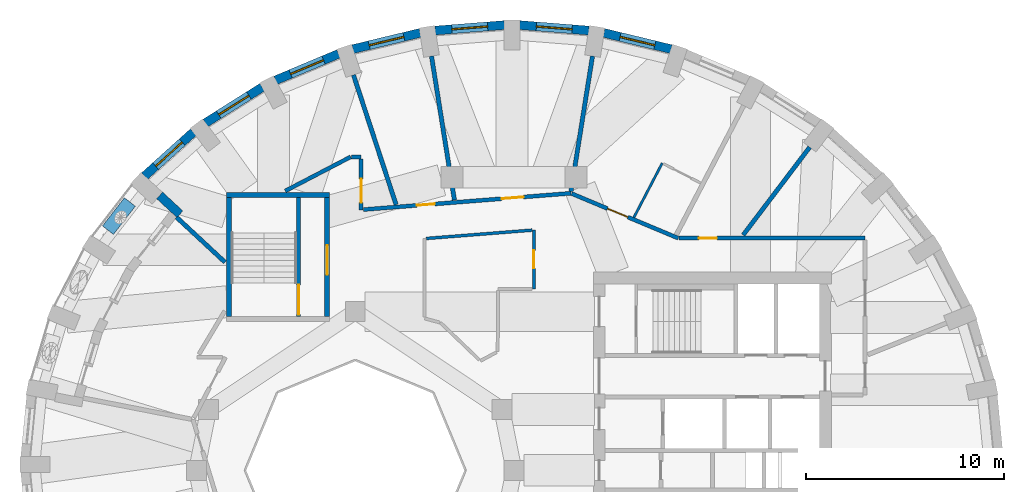
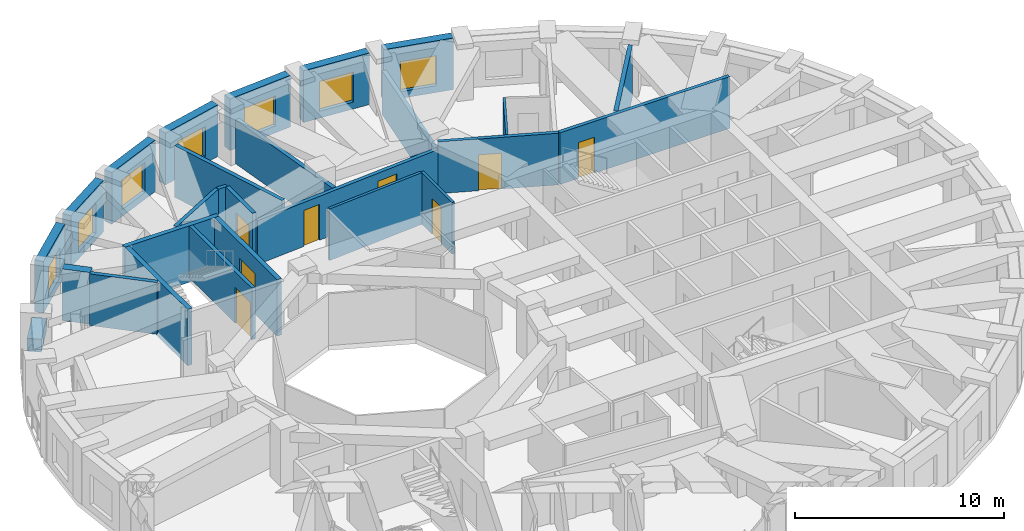
# One storey, part 7 of 12: 27 walls, 8 doors, 7 windows, 15 openings.
"""IFC4 building model written with IfcOpenShell, lengths in metres."""

from ifc_helpers import new_model, si_unit, direction, frame, frame_2d, origin, place, context, subcontext, project, spatial, rectangle, extrude, material, layer, layer_set, constituent, constituent_set, type_object, element, fill, save


model = new_model("IFC4")

# Units and contexts
model_context = context("Model", 3, precision=1e-05, world=origin(), true_north=direction((0.0, 1.0)))
body_context = subcontext(model_context, "Body", "Model", "MODEL_VIEW")
ifc_project = project(units=[si_unit("LENGTHUNIT", "METRE"), si_unit("AREAUNIT", "SQUARE_METRE"), si_unit("VOLUMEUNIT", "CUBIC_METRE"), si_unit("PLANEANGLEUNIT", "RADIAN"), si_unit("MASSUNIT", "GRAM", prefix="KILO")], contexts=[model_context])

# Site, building, storey
site_placement = place(None, origin())
site = spatial("IfcSite", under=ifc_project, at=site_placement, CompositionType="ELEMENT")
building_placement = place(site_placement, origin())
building = spatial("IfcBuilding", under=site, at=building_placement, Name="Taillehof Tower", CompositionType="ELEMENT")
storey_placement = place(building_placement, frame((0.0, 0.0, 243.199951171875)))
storey = spatial("IfcBuildingStorey", under=building, at=storey_placement, Name="L69", CompositionType="ELEMENT", Elevation=243.199951171875)

# Wall, opening, window
ifc_material_1 = material(Name="Brick masonry", Category="masonry")
ifc_layer_1 = layer(ifc_material_1, 0.449951171875)
ifc_layer_set_1 = layer_set([ifc_layer_1], Name="Brick infill wall 450")
wall_type_1 = type_object("IfcWallType", Name="Brick infill wall 450", PredefinedType="SOLIDWALL", material=ifc_layer_set_1)
wall_1_placement = place(storey_placement, frame((7.918701171875, 21.231689453125, 0.0), z_axis=(0.0, 0.0, 1.0), x_axis=(-0.972099278496, 0.23456980357, 0.0)))
wall_1 = element("IfcWall", 1, at=wall_1_placement, inside=storey, type_object=wall_type_1, Name="Brick wall L69 bay 8", PredefinedType="SOLIDWALL", context=body_context, shape_type="SweptSolid", body=[
    extrude(rectangle(XDim=3.486572265625, YDim=0.449951171875, at=frame_2d((1.7431640625, 0.0))), origin(), (0.0, 0.0, 1.0), 3.02001953125),
])
opening_1_placement = place(wall_1_placement, frame((0.84326171875, 0.0, 0.39990234375)))
opening_1 = element("IfcOpeningElement", 2, at=opening_1_placement, cuts=wall_1, Name="Opening W4", PredefinedType="OPENING", context=body_context, shape_type="SweptSolid", body=[
    extrude(rectangle(XDim=1.800048828125, YDim=1.75, at=frame_2d((0.89990234375, 0.875))), frame((0.0, 0.23486328125, 0.0), z_axis=(0.0, -1.0, 0.0), x_axis=(1.0, 0.0, 0.0)), (0.0, 0.0, 1.0), 0.469970703125),
])
ifc_material_2 = material(Name="Aluminium window frame with clear double glazing", Category="aluminium")
window_type = type_object("IfcWindowType", Name="Deep-set window 1800x1750", PartitioningType="SINGLE_PANEL", PredefinedType="WINDOW", material=ifc_material_2)
window_1_placement = place(opening_1_placement, origin())
window_1 = element("IfcWindow", 3, at=window_1_placement, inside=storey, type_object=window_type, Name="W4", OverallHeight=1.75, OverallWidth=1.800048828125, PartitioningType="SINGLE_PANEL", PredefinedType="WINDOW", context=body_context, shape_type="SweptSolid", body=[
    extrude(rectangle(XDim=1.800048828125, YDim=1.75, at=frame_2d((0.89990234375, 0.875))), frame((0.0, 0.034912109375, 0.0), z_axis=(0.0, -1.0, 0.0), x_axis=(1.0, 0.0, 0.0)), (0.0, 0.0, 1.0), 0.06005859375),
])
fill(opening_1, window_1)

wall_2_placement = place(storey_placement, frame((3.778564453125, 22.168701171875, 0.0), z_axis=(0.0, 0.0, 1.0), x_axis=(-0.996910775835, 0.078542377245, 0.0)))
wall_2 = element("IfcWall", 4, at=wall_2_placement, inside=storey, type_object=wall_type_1, Name="Brick wall L69 bay 9", PredefinedType="SOLIDWALL", context=body_context, shape_type="SweptSolid", body=[
    extrude(rectangle(XDim=3.50927734375, YDim=0.449951171875, at=frame_2d((1.754638671875, 0.0))), origin(), (0.0, 0.0, 1.0), 3.02001953125),
])
opening_2_placement = place(wall_2_placement, frame((0.854736328125, 0.0, 0.39990234375)))
opening_2 = element("IfcOpeningElement", 5, at=opening_2_placement, cuts=wall_2, Name="Opening W4", PredefinedType="OPENING", context=body_context, shape_type="SweptSolid", body=[
    extrude(rectangle(XDim=1.800048828125, YDim=1.75, at=frame_2d((0.89990234375, 0.875))), frame((0.0, 0.23486328125, 0.0), z_axis=(0.0, -1.0, 0.0), x_axis=(1.0, 0.0, 0.0)), (0.0, 0.0, 1.0), 0.469970703125),
])
window_2_placement = place(opening_2_placement, origin())
window_2 = element("IfcWindow", 6, at=window_2_placement, inside=storey, type_object=window_type, Name="W4", OverallHeight=1.75, OverallWidth=1.800048828125, PartitioningType="SINGLE_PANEL", PredefinedType="WINDOW", context=body_context, shape_type="SweptSolid", body=[
    extrude(rectangle(XDim=1.800048828125, YDim=1.75, at=frame_2d((0.89990234375, 0.875))), frame((0.0, 0.034912109375, 0.0), z_axis=(0.0, -1.0, 0.0), x_axis=(1.0, 0.0, 0.0)), (0.0, 0.0, 1.0), 0.06005859375),
])
fill(opening_2, window_2)

wall_3_placement = place(storey_placement, frame((-0.47998046875, 22.4443359375, 0.0), z_axis=(0.0, 0.0, 1.0), x_axis=(-0.996910775835, -0.078542377245, 0.0)))
wall_3 = element("IfcWall", 7, at=wall_3_placement, inside=storey, type_object=wall_type_1, Name="Brick wall L69 bay 10", PredefinedType="SOLIDWALL", context=body_context, shape_type="SweptSolid", body=[
    extrude(rectangle(XDim=3.50927734375, YDim=0.449951171875, at=frame_2d((1.754638671875, 0.0))), origin(), (0.0, 0.0, 1.0), 3.02001953125),
])
opening_3_placement = place(wall_3_placement, frame((0.854736328125, 0.0, 0.39990234375)))
opening_3 = element("IfcOpeningElement", 8, at=opening_3_placement, cuts=wall_3, Name="Opening W4", PredefinedType="OPENING", context=body_context, shape_type="SweptSolid", body=[
    extrude(rectangle(XDim=1.800048828125, YDim=1.75, at=frame_2d((0.89990234375, 0.875))), frame((0.0, 0.23486328125, 0.0), z_axis=(0.0, -1.0, 0.0), x_axis=(1.0, 0.0, 0.0)), (0.0, 0.0, 1.0), 0.469970703125),
])
window_3_placement = place(opening_3_placement, origin())
window_3 = element("IfcWindow", 9, at=window_3_placement, inside=storey, type_object=window_type, Name="W4", OverallHeight=1.75, OverallWidth=1.800048828125, PartitioningType="SINGLE_PANEL", PredefinedType="WINDOW", context=body_context, shape_type="SweptSolid", body=[
    extrude(rectangle(XDim=1.800048828125, YDim=1.75, at=frame_2d((0.89990234375, 0.875))), frame((0.0, 0.034912109375, 0.0), z_axis=(0.0, -1.0, 0.0), x_axis=(1.0, 0.0, 0.0)), (0.0, 0.0, 1.0), 0.06005859375),
])
fill(opening_3, window_3)

wall_4_placement = place(storey_placement, frame((-4.729248046875, 22.049560546875, 0.0), z_axis=(0.0, 0.0, 1.0), x_axis=(-0.972099278496, -0.23456980357, 0.0)))
wall_4 = element("IfcWall", 10, at=wall_4_placement, inside=storey, type_object=wall_type_1, Name="Brick wall L69 bay 11", PredefinedType="SOLIDWALL", context=body_context, shape_type="SweptSolid", body=[
    extrude(rectangle(XDim=3.486572265625, YDim=0.449951171875, at=frame_2d((1.7431640625, 0.0))), origin(), (0.0, 0.0, 1.0), 3.02001953125),
])
opening_4_placement = place(wall_4_placement, frame((0.84326171875, 0.0, 0.39990234375)))
opening_4 = element("IfcOpeningElement", 11, at=opening_4_placement, cuts=wall_4, Name="Opening W4", PredefinedType="OPENING", context=body_context, shape_type="SweptSolid", body=[
    extrude(rectangle(XDim=1.800048828125, YDim=1.75, at=frame_2d((0.89990234375, 0.875))), frame((0.0, 0.23486328125, 0.0), z_axis=(0.0, -1.0, 0.0), x_axis=(1.0, 0.0, 0.0)), (0.0, 0.0, 1.0), 0.469970703125),
])
window_4_placement = place(opening_4_placement, origin())
window_4 = element("IfcWindow", 12, at=window_4_placement, inside=storey, type_object=window_type, Name="W4", OverallHeight=1.75, OverallWidth=1.800048828125, PartitioningType="SINGLE_PANEL", PredefinedType="WINDOW", context=body_context, shape_type="SweptSolid", body=[
    extrude(rectangle(XDim=1.800048828125, YDim=1.75, at=frame_2d((0.89990234375, 0.875))), frame((0.0, 0.034912109375, 0.0), z_axis=(0.0, -1.0, 0.0), x_axis=(1.0, 0.0, 0.0)), (0.0, 0.0, 1.0), 0.06005859375),
])
fill(opening_4, window_4)

wall_5_placement = place(storey_placement, frame((-8.8408203125, 20.994873046875, 0.0), z_axis=(0.0, 0.0, 1.0), x_axis=(-0.922024627475, -0.387131226239, 0.0)))
wall_5 = element("IfcWall", 13, at=wall_5_placement, inside=storey, type_object=wall_type_1, Name="Brick wall L69 bay 12", PredefinedType="SOLIDWALL", context=body_context, shape_type="SweptSolid", body=[
    extrude(rectangle(XDim=3.443359375, YDim=0.449951171875, at=frame_2d((1.7216796875, 0.0))), origin(), (0.0, 0.0, 1.0), 3.02001953125),
])
opening_5_placement = place(wall_5_placement, frame((0.82177734375, 0.0, 0.39990234375)))
opening_5 = element("IfcOpeningElement", 14, at=opening_5_placement, cuts=wall_5, Name="Opening W4", PredefinedType="OPENING", context=body_context, shape_type="SweptSolid", body=[
    extrude(rectangle(XDim=1.800048828125, YDim=1.75, at=frame_2d((0.89990234375, 0.875))), frame((0.0, 0.23486328125, 0.0), z_axis=(0.0, -1.0, 0.0), x_axis=(1.0, 0.0, 0.0)), (0.0, 0.0, 1.0), 0.469970703125),
])
window_5_placement = place(opening_5_placement, origin())
window_5 = element("IfcWindow", 15, at=window_5_placement, inside=storey, type_object=window_type, Name="W4", OverallHeight=1.75, OverallWidth=1.800048828125, PartitioningType="SINGLE_PANEL", PredefinedType="WINDOW", context=body_context, shape_type="SweptSolid", body=[
    extrude(rectangle(XDim=1.800048828125, YDim=1.75, at=frame_2d((0.89990234375, 0.875))), frame((0.0, 0.034912109375, 0.0), z_axis=(0.0, -1.0, 0.0), x_axis=(1.0, 0.0, 0.0)), (0.0, 0.0, 1.0), 0.06005859375),
])
fill(opening_5, window_5)

wall_6_placement = place(storey_placement, frame((-12.68994140625, 19.31103515625, 0.0), z_axis=(0.0, 0.0, 1.0), x_axis=(-0.845929139811, -0.53329531258, 0.0)))
wall_6 = element("IfcWall", 16, at=wall_6_placement, inside=storey, type_object=wall_type_1, Name="Brick wall L69 bay 13", PredefinedType="SOLIDWALL", context=body_context, shape_type="SweptSolid", body=[
    extrude(rectangle(XDim=3.384521484375, YDim=0.449951171875, at=frame_2d((1.6923828125, 0.0))), origin(), (0.0, 0.0, 1.0), 3.02001953125),
])
opening_6_placement = place(wall_6_placement, frame((0.792236328125, 0.0, 0.39990234375)))
opening_6 = element("IfcOpeningElement", 17, at=opening_6_placement, cuts=wall_6, Name="Opening W4", PredefinedType="OPENING", context=body_context, shape_type="SweptSolid", body=[
    extrude(rectangle(XDim=1.800048828125, YDim=1.75, at=frame_2d((0.89990234375, 0.875))), frame((0.0, 0.23486328125, 0.0), z_axis=(0.0, -1.0, 0.0), x_axis=(1.0, 0.0, 0.0)), (0.0, 0.0, 1.0), 0.469970703125),
])
window_6_placement = place(opening_6_placement, origin())
window_6 = element("IfcWindow", 18, at=window_6_placement, inside=storey, type_object=window_type, Name="W4", OverallHeight=1.75, OverallWidth=1.800048828125, PartitioningType="SINGLE_PANEL", PredefinedType="WINDOW", context=body_context, shape_type="SweptSolid", body=[
    extrude(rectangle(XDim=1.800048828125, YDim=1.75, at=frame_2d((0.89990234375, 0.875))), frame((0.0, 0.034912109375, 0.0), z_axis=(0.0, -1.0, 0.0), x_axis=(1.0, 0.0, 0.0)), (0.0, 0.0, 1.0), 0.06005859375),
])
fill(opening_6, window_6)

wall_7_placement = place(storey_placement, frame((-16.1591796875, 17.04736328125, 0.0), z_axis=(0.0, 0.0, 1.0), x_axis=(-0.743166014219, -0.669107073128, 0.0)))
wall_7 = element("IfcWall", 19, at=wall_7_placement, inside=storey, type_object=wall_type_1, Name="Brick wall L69 bay 14", PredefinedType="SOLIDWALL", context=body_context, shape_type="SweptSolid", body=[
    extrude(rectangle(XDim=3.31640625, YDim=0.449951171875, at=frame_2d((1.658203125, 0.0))), origin(), (0.0, 0.0, 1.0), 3.02001953125),
])
opening_7_placement = place(wall_7_placement, frame((0.75830078125, 0.0, 0.39990234375)))
opening_7 = element("IfcOpeningElement", 20, at=opening_7_placement, cuts=wall_7, Name="Opening W4", PredefinedType="OPENING", context=body_context, shape_type="SweptSolid", body=[
    extrude(rectangle(XDim=1.800048828125, YDim=1.75, at=frame_2d((0.89990234375, 0.875))), frame((0.0, 0.23486328125, 0.0), z_axis=(0.0, -1.0, 0.0), x_axis=(1.0, 0.0, 0.0)), (0.0, 0.0, 1.0), 0.469970703125),
])
window_7_placement = place(opening_7_placement, origin())
window_7 = element("IfcWindow", 21, at=window_7_placement, inside=storey, type_object=window_type, Name="W4", OverallHeight=1.75, OverallWidth=1.800048828125, PartitioningType="SINGLE_PANEL", PredefinedType="WINDOW", context=body_context, shape_type="SweptSolid", body=[
    extrude(rectangle(XDim=1.800048828125, YDim=1.75, at=frame_2d((0.89990234375, 0.875))), frame((0.0, 0.034912109375, 0.0), z_axis=(0.0, -1.0, 0.0), x_axis=(1.0, 0.0, 0.0)), (0.0, 0.0, 1.0), 0.06005859375),
])
fill(opening_7, window_7)

# Walls
wall_8_placement = place(storey_placement, frame((-17.861083984375, 13.856689453125, 0.0), z_axis=(0.0, 0.0, 1.0), x_axis=(0.732605925603, -0.680653037731, 0.0)))
element("IfcWall", 22, at=wall_8_placement, inside=storey, type_object=wall_type_1, Name="Brick reveal L69 pocket 4", PredefinedType="SOLIDWALL", context=body_context, shape_type="SweptSolid", body=[
    extrude(rectangle(XDim=1.390869140625, YDim=0.449951171875, at=frame_2d((0.6953125, 0.0))), origin(), (0.0, 0.0, 1.0), 3.02001953125),
])
ifc_material_3 = material(Name="Gypsum board on steel studs, two layers each side", Category="steel")
ifc_layer_2 = layer(ifc_material_3, 0.199951171875)
ifc_layer_set_2 = layer_set([ifc_layer_2], Name="Compartment wall corridor 200")
wall_type_2 = type_object("IfcWallType", Name="Compartment wall corridor 200", PredefinedType="PARTITIONING", material=ifc_layer_set_2)
wall_9_placement = place(storey_placement, frame((-11.53369140625, 14.080810546875, 0.0), z_axis=(0.0, 0.0, 1.0), x_axis=(0.886975089277, 0.461817270143, 0.0)))
element("IfcWall", 23, at=wall_9_placement, inside=storey, type_object=wall_type_2, Name="Compartment wall", PredefinedType="PARTITIONING", context=body_context, shape_type="SweptSolid", body=[
    extrude(rectangle(XDim=3.72265625, YDim=0.199951171875, at=frame_2d((1.861328125, 0.0))), origin(), (0.0, 0.0, 1.0), 3.02001953125),
])
wall_10_placement = place(storey_placement, frame((-8.191650390625, 15.800048828125, 0.0), z_axis=(0.0, 0.0, 1.0), x_axis=(1.0, 0.0, 0.0)))
element("IfcWall", 24, at=wall_10_placement, inside=storey, type_object=wall_type_2, Name="Compartment wall", PredefinedType="PARTITIONING", context=body_context, shape_type="SweptSolid", body=[
    extrude(rectangle(XDim=0.49169921875, YDim=0.199951171875, at=frame_2d((0.245849609375, 0.0))), origin(), (0.0, 0.0, 1.0), 3.02001953125),
])

# Wall, opening, door
wall_11_placement = place(storey_placement, frame((-7.699951171875, 15.699951171875, 0.0), z_axis=(0.0, 0.0, 1.0), x_axis=(0.0, -1.0, 0.0)))
wall_11 = element("IfcWall", 25, at=wall_11_placement, inside=storey, type_object=wall_type_2, Name="Compartment wall", PredefinedType="PARTITIONING", context=body_context, shape_type="SweptSolid", body=[
    extrude(rectangle(XDim=2.56494140625, YDim=0.199951171875, at=frame_2d((1.282470703125, 0.0))), origin(), (0.0, 0.0, 1.0), 3.02001953125),
])
opening_8_placement = place(wall_11_placement, frame((1.008056640625, 0.0, 0.0)))
opening_8 = element("IfcOpeningElement", 26, at=opening_8_placement, cuts=wall_11, Name="Opening D6945", PredefinedType="OPENING", context=body_context, shape_type="SweptSolid", body=[
    extrude(rectangle(XDim=1.199951171875, YDim=2.10009765625, at=frame_2d((0.60009765625, 1.050048828125))), frame((0.0, 0.10986328125, 0.0), z_axis=(0.0, -1.0, 0.0), x_axis=(1.0, 0.0, 0.0)), (0.0, 0.0, 1.0), 0.219970703125),
])
ifc_material_4 = material(Name="Timber door leaf in steel frame", Category="steel")
door_type_1 = type_object("IfcDoorType", Name="Suite entrance door EI 30 1200 x 2100", OperationType="SINGLE_SWING_LEFT", PredefinedType="DOOR", material=ifc_material_4)
door_1_placement = place(opening_8_placement, origin())
door_1 = element("IfcDoor", 27, at=door_1_placement, inside=storey, type_object=door_type_1, Name="D6945", OperationType="SINGLE_SWING_RIGHT", OverallHeight=2.10009765625, OverallWidth=1.199951171875, PredefinedType="DOOR", context=body_context, shape_type="SweptSolid", body=[
    extrude(rectangle(XDim=1.199951171875, YDim=2.10009765625, at=frame_2d((0.60009765625, 1.050048828125))), frame((0.0, 0.02490234375, 0.0), z_axis=(0.0, -1.0, 0.0), x_axis=(1.0, 0.0, 0.0)), (0.0, 0.0, 1.0), 0.050048828125),
])
fill(opening_8, door_1)

# Wall, openings, doors
wall_12_placement = place(storey_placement, frame((-7.579833984375, 13.143798828125, 0.0), z_axis=(0.0, 0.0, 1.0), x_axis=(0.996921908045, 0.078400951905, 0.0)))
wall_12 = element("IfcWall", 28, at=wall_12_placement, inside=storey, type_object=wall_type_2, Name="Compartment wall", PredefinedType="PARTITIONING", context=body_context, shape_type="SweptSolid", body=[
    extrude(rectangle(XDim=10.481689453125, YDim=0.199951171875, at=frame_2d((5.24072265625, 0.0))), origin(), (0.0, 0.0, 1.0), 2.570068359375),
])
opening_9_placement = place(wall_12_placement, frame((6.98974609375, 0.0, 0.0)))
opening_9 = element("IfcOpeningElement", 29, at=opening_9_placement, cuts=wall_12, Name="Opening D6943", PredefinedType="OPENING", context=body_context, shape_type="SweptSolid", body=[
    extrude(rectangle(XDim=1.10009765625, YDim=2.10009765625, at=frame_2d((0.550048828125, 1.050048828125))), frame((0.0, 0.10986328125, 0.0), z_axis=(0.0, -1.0, 0.0), x_axis=(1.0, 0.0, 0.0)), (0.0, 0.0, 1.0), 0.219970703125),
])
opening_10_placement = place(wall_12_placement, frame((2.696044921875, 0.0, 0.0)))
opening_10 = element("IfcOpeningElement", 30, at=opening_10_placement, cuts=wall_12, Name="Opening D6944", PredefinedType="OPENING", context=body_context, shape_type="SweptSolid", body=[
    extrude(rectangle(XDim=0.89990234375, YDim=2.10009765625, at=frame_2d((0.449951171875, 1.050048828125))), frame((0.0, 0.10986328125, 0.0), z_axis=(0.0, -1.0, 0.0), x_axis=(1.0, 0.0, 0.0)), (0.0, 0.0, 1.0), 0.219970703125),
])
ifc_material_5 = material(Name="Timber door leaf in steel frame", Category="steel")
door_type_2 = type_object("IfcDoorType", Name="Service room door EI 30 900 x 2100", OperationType="SINGLE_SWING_LEFT", PredefinedType="DOOR", material=ifc_material_5)
door_2_placement = place(opening_10_placement, origin())
door_2 = element("IfcDoor", 31, at=door_2_placement, inside=storey, type_object=door_type_2, Name="D6944", OperationType="SINGLE_SWING_LEFT", OverallHeight=2.10009765625, OverallWidth=0.89990234375, PredefinedType="DOOR", context=body_context, shape_type="SweptSolid", body=[
    extrude(rectangle(XDim=0.89990234375, YDim=2.10009765625, at=frame_2d((0.449951171875, 1.050048828125))), frame((0.0, 0.02490234375, 0.0), z_axis=(0.0, -1.0, 0.0), x_axis=(1.0, 0.0, 0.0)), (0.0, 0.0, 1.0), 0.050048828125),
])
fill(opening_10, door_2)
ifc_material_6 = material(Name="Timber door leaf in steel frame", Category="steel")
door_type_3 = type_object("IfcDoorType", Name="Suite entrance door EI 30 1100 x 2100", OperationType="SINGLE_SWING_LEFT", PredefinedType="DOOR", material=ifc_material_6)
door_3_placement = place(opening_9_placement, origin())
door_3 = element("IfcDoor", 32, at=door_3_placement, inside=storey, type_object=door_type_3, Name="D6943", OperationType="SINGLE_SWING_RIGHT", OverallHeight=2.10009765625, OverallWidth=1.10009765625, PredefinedType="DOOR", context=body_context, shape_type="SweptSolid", body=[
    extrude(rectangle(XDim=1.10009765625, YDim=2.10009765625, at=frame_2d((0.550048828125, 1.050048828125))), frame((0.0, 0.02490234375, 0.0), z_axis=(0.0, -1.0, 0.0), x_axis=(1.0, 0.0, 0.0)), (0.0, 0.0, 1.0), 0.050048828125),
])
fill(opening_9, door_3)

# Wall, opening, door
wall_13_placement = place(storey_placement, frame((2.90673828125, 13.949951171875, 0.0), z_axis=(0.0, 0.0, 1.0), x_axis=(0.922453481254, -0.386108242494, 0.0)))
wall_13 = element("IfcWall", 33, at=wall_13_placement, inside=storey, type_object=wall_type_2, Name="Compartment wall", PredefinedType="PARTITIONING", context=body_context, shape_type="SweptSolid", body=[
    extrude(rectangle(XDim=5.827392578125, YDim=0.199951171875, at=frame_2d((2.91357421875, 0.0))), origin(), (0.0, 0.0, 1.0), 3.02001953125),
])
opening_11_placement = place(wall_13_placement, frame((1.967529296875, 0.0, 0.0)))
opening_11 = element("IfcOpeningElement", 34, at=opening_11_placement, cuts=wall_13, Name="Opening D6941", PredefinedType="OPENING", context=body_context, shape_type="SweptSolid", body=[
    extrude(rectangle(XDim=1.10009765625, YDim=2.10009765625, at=frame_2d((0.550048828125, 1.050048828125))), frame((0.0, 0.10986328125, 0.0), z_axis=(0.0, -1.0, 0.0), x_axis=(1.0, 0.0, 0.0)), (0.0, 0.0, 1.0), 0.219970703125),
])
ifc_material_7 = material(Name="Timber door leaf in steel frame", Category="steel")
door_type_4 = type_object("IfcDoorType", Name="Accessible guest room door EI 30 1100 x 2100", OperationType="SINGLE_SWING_LEFT", PredefinedType="DOOR", material=ifc_material_7)
door_4_placement = place(opening_11_placement, origin())
door_4 = element("IfcDoor", 35, at=door_4_placement, inside=storey, type_object=door_type_4, Name="D6941", OperationType="SINGLE_SWING_RIGHT", OverallHeight=2.10009765625, OverallWidth=1.10009765625, PredefinedType="DOOR", context=body_context, shape_type="SweptSolid", body=[
    extrude(rectangle(XDim=1.10009765625, YDim=2.10009765625, at=frame_2d((0.550048828125, 1.050048828125))), frame((0.0, 0.02490234375, 0.0), z_axis=(0.0, -1.0, 0.0), x_axis=(1.0, 0.0, 0.0)), (0.0, 0.0, 1.0), 0.050048828125),
])
fill(opening_11, door_4)

wall_14_placement = place(storey_placement, frame((8.322265625, 11.699951171875, 0.0), z_axis=(0.0, 0.0, 1.0), x_axis=(1.0, 0.0, 0.0)))
wall_14 = element("IfcWall", 36, at=wall_14_placement, inside=storey, type_object=wall_type_2, Name="Compartment wall", PredefinedType="PARTITIONING", context=body_context, shape_type="SweptSolid", body=[
    extrude(rectangle(XDim=9.377685546875, YDim=0.199951171875, at=frame_2d((4.68896484375, 0.0))), origin(), (0.0, 0.0, 1.0), 3.02001953125),
])
opening_12_placement = place(wall_14_placement, frame((1.002197265625, 0.0, 0.0)))
opening_12 = element("IfcOpeningElement", 37, at=opening_12_placement, cuts=wall_14, Name="Opening D6940", PredefinedType="OPENING", context=body_context, shape_type="SweptSolid", body=[
    extrude(rectangle(XDim=0.89990234375, YDim=2.10009765625, at=frame_2d((0.449951171875, 1.050048828125))), frame((0.0, 0.10986328125, 0.0), z_axis=(0.0, -1.0, 0.0), x_axis=(1.0, 0.0, 0.0)), (0.0, 0.0, 1.0), 0.219970703125),
])
door_5_placement = place(opening_12_placement, origin())
door_5 = element("IfcDoor", 38, at=door_5_placement, inside=storey, type_object=door_type_2, Name="D6940", OperationType="SINGLE_SWING_LEFT", OverallHeight=2.10009765625, OverallWidth=0.89990234375, PredefinedType="DOOR", context=body_context, shape_type="SweptSolid", body=[
    extrude(rectangle(XDim=0.89990234375, YDim=2.10009765625, at=frame_2d((0.449951171875, 1.050048828125))), frame((0.0, 0.02490234375, 0.0), z_axis=(0.0, -1.0, 0.0), x_axis=(1.0, 0.0, 0.0)), (0.0, 0.0, 1.0), 0.050048828125),
])
fill(opening_12, door_5)

# Walls
ifc_material_8 = material(Name="Gypsum board on double steel studs with mineral wool", Category="steel")
ifc_layer_3 = layer(ifc_material_8, 0.219970703125)
ifc_layer_set_3 = layer_set([ifc_layer_3], Name="Compartment wall guest room 220")
wall_type_3 = type_object("IfcWallType", Name="Compartment wall guest room 220", PredefinedType="PARTITIONING", material=ifc_layer_set_3)
wall_15_placement = place(storey_placement, frame((14.906005859375, 16.287109375, 0.0), z_axis=(0.0, 0.0, 1.0), x_axis=(-0.604066831727, -0.796933662739, 0.0)))
element("IfcWall", 39, at=wall_15_placement, inside=storey, type_object=wall_type_3, Name="Compartment wall", PredefinedType="PARTITIONING", context=body_context, shape_type="SweptSolid", body=[
    extrude(rectangle(XDim=5.55078125, YDim=0.219970703125, at=frame_2d((2.775390625, 0.0))), origin(), (0.0, 0.0, 1.0), 3.02001953125),
])
wall_16_placement = place(storey_placement, frame((3.958251953125, 20.88037109375, 0.0), z_axis=(0.0, 0.0, 1.0), x_axis=(-0.157259964952, -0.987557240581, 0.0)))
element("IfcWall", 40, at=wall_16_placement, inside=storey, type_object=wall_type_3, Name="Compartment wall", PredefinedType="PARTITIONING", context=body_context, shape_type="SweptSolid", body=[
    extrude(rectangle(XDim=6.908447265625, YDim=0.219970703125, at=frame_2d((3.4541015625, 0.0))), origin(), (0.0, 0.0, 1.0), 2.570068359375),
])
wall_17_placement = place(storey_placement, frame((-4.158203125, 20.88037109375, 0.0), z_axis=(0.0, 0.0, 1.0), x_axis=(0.157271196312, -0.987555452018, 0.0)))
element("IfcWall", 41, at=wall_17_placement, inside=storey, type_object=wall_type_3, Name="Compartment wall", PredefinedType="PARTITIONING", context=body_context, shape_type="SweptSolid", body=[
    extrude(rectangle(XDim=7.347412109375, YDim=0.219970703125, at=frame_2d((3.673828125, 0.0))), origin(), (0.0, 0.0, 1.0), 2.570068359375),
])
wall_18_placement = place(storey_placement, frame((-8.09130859375, 19.931884765625, 0.0), z_axis=(0.0, 0.0, 1.0), x_axis=(0.312277225251, -0.949991018162, 0.0)))
element("IfcWall", 42, at=wall_18_placement, inside=storey, type_object=wall_type_3, Name="Compartment wall", PredefinedType="PARTITIONING", context=body_context, shape_type="SweptSolid", body=[
    extrude(rectangle(XDim=6.883056640625, YDim=0.219970703125, at=frame_2d((3.44140625, 0.0))), origin(), (0.0, 0.0, 1.0), 3.02001953125),
])
wall_19_placement = place(storey_placement, frame((-17.008544921875, 12.757568359375, 0.0), z_axis=(0.0, 0.0, 1.0), x_axis=(0.732631495403, -0.680625515202, 0.0)))
element("IfcWall", 43, at=wall_19_placement, inside=storey, type_object=wall_type_3, Name="Compartment wall", PredefinedType="PARTITIONING", context=body_context, shape_type="SweptSolid", body=[
    extrude(rectangle(XDim=3.328369140625, YDim=0.219970703125, at=frame_2d((1.6640625, 0.0))), origin(), (0.0, 0.0, 1.0), 3.02001953125),
])

# Wall, opening, door
ifc_material_9 = material(Name="Gypsum board on steel studs, two layers each side", Category="steel")
ifc_layer_4 = layer(ifc_material_9, 0.14990234375)
ifc_layer_set_4 = layer_set([ifc_layer_4], Name="Compartment wall service room 150")
wall_type_4 = type_object("IfcWallType", Name="Compartment wall service room 150", PredefinedType="PARTITIONING", material=ifc_layer_set_4)
wall_20_placement = place(storey_placement, frame((1.0, 12.11328125, 0.0), z_axis=(0.0, 0.0, 1.0), x_axis=(0.0, -1.0, 0.0)))
wall_20 = element("IfcWall", 44, at=wall_20_placement, inside=storey, type_object=wall_type_4, Name="Compartment wall", PredefinedType="PARTITIONING", context=body_context, shape_type="SweptSolid", body=[
    extrude(rectangle(XDim=2.96337890625, YDim=0.14990234375, at=frame_2d((1.481689453125, 0.0))), origin(), (0.0, 0.0, 1.0), 3.02001953125),
])
opening_13_placement = place(wall_20_placement, frame((1.03173828125, 0.0, 0.0)))
opening_13 = element("IfcOpeningElement", 45, at=opening_13_placement, cuts=wall_20, Name="Opening D6959", PredefinedType="OPENING", context=body_context, shape_type="SweptSolid", body=[
    extrude(rectangle(XDim=0.89990234375, YDim=2.10009765625, at=frame_2d((0.449951171875, 1.050048828125))), frame((0.0, 0.0849609375, 0.0), z_axis=(0.0, -1.0, 0.0), x_axis=(1.0, 0.0, 0.0)), (0.0, 0.0, 1.0), 0.169921875),
])
door_6_placement = place(opening_13_placement, origin())
door_6 = element("IfcDoor", 46, at=door_6_placement, inside=storey, type_object=door_type_2, Name="D6959", OperationType="SINGLE_SWING_LEFT", OverallHeight=2.10009765625, OverallWidth=0.89990234375, PredefinedType="DOOR", context=body_context, shape_type="SweptSolid", body=[
    extrude(rectangle(XDim=0.89990234375, YDim=2.10009765625, at=frame_2d((0.449951171875, 1.050048828125))), frame((0.0, 0.02490234375, 0.0), z_axis=(0.0, -1.0, 0.0), x_axis=(1.0, 0.0, 0.0)), (0.0, 0.0, 1.0), 0.050048828125),
])
fill(opening_13, door_6)

# Walls
wall_21_placement = place(storey_placement, frame((-4.419921875, 11.68701171875, 0.0), z_axis=(0.0, 0.0, 1.0), x_axis=(0.996915064954, 0.078487917971, 0.0)))
element("IfcWall", 47, at=wall_21_placement, inside=storey, type_object=wall_type_4, Name="Compartment wall", PredefinedType="PARTITIONING", context=body_context, shape_type="SweptSolid", body=[
    extrude(rectangle(XDim=5.3564453125, YDim=0.14990234375, at=frame_2d((2.67822265625, 0.0))), origin(), (0.0, 0.0, 1.0), 3.02001953125),
])
ifc_material_10 = material(Name="Gypsum board on steel studs, moisture resistant", Category="steel")
ifc_layer_5 = layer(ifc_material_10, 0.1201171875)
ifc_layer_set_5 = layer_set([ifc_layer_5], Name="En-suite wall 120")
wall_type_5 = type_object("IfcWallType", Name="En-suite wall 120", PredefinedType="PARTITIONING", material=ifc_layer_set_5)
wall_22_placement = place(storey_placement, frame((6.043701171875, 12.745361328125, 0.0), z_axis=(0.0, 0.0, 1.0), x_axis=(0.462331372195, 0.886707224672, 0.0)))
element("IfcWall", 48, at=wall_22_placement, inside=storey, type_object=wall_type_5, Name="En-suite wall", PredefinedType="PARTITIONING", context=body_context, shape_type="SweptSolid", body=[
    extrude(rectangle(XDim=3.093994140625, YDim=0.1201171875, at=frame_2d((1.546875, 0.0))), origin(), (0.0, 0.0, 1.0), 3.02001953125),
])
ifc_material_11 = material(Name="Concrete C30/37 precast", Category="concrete")
ifc_constituent_1 = constituent(ifc_material_11, Name="Structure", Category="concrete")
ifc_material_12 = material(Name="Insulated lining")
ifc_constituent_2 = constituent(ifc_material_12, Name="Lining")
ifc_constituent_set = constituent_set(constituents=[ifc_constituent_1, ifc_constituent_2], Name="Planter trough 700x750")
wall_type_6 = type_object("IfcWallType", Name="Planter trough 700x750", PredefinedType="USERDEFINED", material=ifc_constituent_set)
wall_23_placement = place(storey_placement, frame((-19.361083984375, 13.525390625, 0.0), z_axis=(0.0, 0.0, 1.0), x_axis=(-0.613884271235, -0.789396035923, 0.0)))
element("IfcWall", 49, at=wall_23_placement, inside=storey, type_object=wall_type_6, Name="Planter L69 bay 15", ObjectType="PLANTER", PredefinedType="USERDEFINED", context=body_context, shape_type="SweptSolid", body=[
    extrude(rectangle(XDim=1.800048828125, YDim=0.699951171875, at=frame_2d((0.89990234375, 0.0))), origin(), (0.0, 0.0, 1.0), 0.75),
])

# Wall, opening, door
ifc_material_13 = material(Name="Concrete C50/60", Category="concrete")
ifc_layer_6 = layer(ifc_material_13, 0.199951171875)
ifc_layer_set_6 = layer_set([ifc_layer_6], Name="Shaft wall C50/60 200")
wall_type_7 = type_object("IfcWallType", Name="Shaft wall C50/60 200", PredefinedType="SHEAR", material=ifc_layer_set_6)
wall_24_placement = place(storey_placement, frame((-10.85009765625, 7.75, 0.0), z_axis=(0.0, 0.0, 1.0), x_axis=(0.0, 1.0, 0.0)))
wall_24 = element("IfcWall", 50, at=wall_24_placement, inside=storey, type_object=wall_type_7, Name="Shaft wall SW", PredefinedType="SHEAR", context=body_context, shape_type="SweptSolid", body=[
    extrude(rectangle(XDim=6.0, YDim=0.199951171875, at=frame_2d((3.0, 0.0))), origin(), (0.0, 0.0, 1.0), 3.02001953125),
])
opening_14_placement = place(wall_24_placement, frame((0.10009765625, 0.0, 0.0)))
opening_14 = element("IfcOpeningElement", 51, at=opening_14_placement, cuts=wall_24, Name="Opening D6912", PredefinedType="OPENING", context=body_context, shape_type="SweptSolid", body=[
    extrude(rectangle(XDim=1.5, YDim=2.10009765625, at=frame_2d((0.75, 1.050048828125))), frame((0.0, 0.10986328125, 0.0), z_axis=(0.0, -1.0, 0.0), x_axis=(1.0, 0.0, 0.0)), (0.0, 0.0, 1.0), 0.219970703125),
])
ifc_material_14 = material(Name="Steel-faced fire door", Category="steel")
door_type_5 = type_object("IfcDoorType", Name="Stair door 1500x2100", OperationType="DOUBLE_DOOR_SINGLE_SWING", PredefinedType="DOOR", material=ifc_material_14)
door_7_placement = place(opening_14_placement, origin())
door_7 = element("IfcDoor", 52, at=door_7_placement, inside=storey, type_object=door_type_5, Name="Stair lobby door S3", OperationType="DOUBLE_DOOR_SINGLE_SWING", OverallHeight=2.10009765625, OverallWidth=1.5, PredefinedType="DOOR", context=body_context, shape_type="SweptSolid", body=[
    extrude(rectangle(XDim=1.5, YDim=2.10009765625, at=frame_2d((0.75, 1.050048828125))), frame((0.0, 0.02490234375, 0.0), z_axis=(0.0, -1.0, 0.0), x_axis=(1.0, 0.0, 0.0)), (0.0, 0.0, 1.0), 0.050048828125),
])
fill(opening_14, door_7)

# Wall
ifc_material_15 = material(Name="Concrete C50/60", Category="concrete")
ifc_layer_7 = layer(ifc_material_15, 0.25)
ifc_layer_set_7 = layer_set([ifc_layer_7], Name="Stair wall C50/60 250")
wall_type_8 = type_object("IfcWallType", Name="Stair wall C50/60 250", PredefinedType="SHEAR", material=ifc_layer_set_7)
wall_25_placement = place(storey_placement, frame((-14.375, 7.75, -0.280029296875), z_axis=(0.0, 0.0, 1.0), x_axis=(0.0, 1.0, 0.0)))
element("IfcWall", 53, at=wall_25_placement, inside=storey, type_object=wall_type_8, Name="Stair wall SC", PredefinedType="SHEAR", context=body_context, shape_type="SweptSolid", body=[
    extrude(rectangle(XDim=6.0, YDim=0.25, at=frame_2d((3.0, 0.0))), origin(), (0.0, 0.0, 1.0), 3.300048828125),
])

# Wall, opening, door
wall_26_placement = place(storey_placement, frame((-9.425048828125, 7.75, -0.280029296875), z_axis=(0.0, 0.0, 1.0), x_axis=(0.0, 1.0, 0.0)))
wall_26 = element("IfcWall", 54, at=wall_26_placement, inside=storey, type_object=wall_type_8, Name="Stair wall SC", PredefinedType="SHEAR", context=body_context, shape_type="SweptSolid", body=[
    extrude(rectangle(XDim=6.0, YDim=0.25, at=frame_2d((3.0, 0.0))), origin(), (0.0, 0.0, 1.0), 3.300048828125),
])
opening_15_placement = place(wall_26_placement, frame((2.10009765625, 0.0, 0.280029296875)))
opening_15 = element("IfcOpeningElement", 55, at=opening_15_placement, cuts=wall_26, Name="Opening D6915", PredefinedType="OPENING", context=body_context, shape_type="SweptSolid", body=[
    extrude(rectangle(XDim=1.5, YDim=2.10009765625, at=frame_2d((0.75, 1.050048828125))), frame((0.0, 0.135009765625, 0.0), z_axis=(0.0, -1.0, 0.0), x_axis=(1.0, 0.0, 0.0)), (0.0, 0.0, 1.0), 0.27001953125),
])
door_8_placement = place(opening_15_placement, origin())
door_8 = element("IfcDoor", 56, at=door_8_placement, inside=storey, type_object=door_type_5, Name="Stair door S3", OperationType="DOUBLE_DOOR_SINGLE_SWING", OverallHeight=2.10009765625, OverallWidth=1.5, PredefinedType="DOOR", context=body_context, shape_type="SweptSolid", body=[
    extrude(rectangle(XDim=1.5, YDim=2.10009765625, at=frame_2d((0.75, 1.050048828125))), frame((0.0, 0.02490234375, 0.0), z_axis=(0.0, -1.0, 0.0), x_axis=(1.0, 0.0, 0.0)), (0.0, 0.0, 1.0), 0.050048828125),
])
fill(opening_15, door_8)

# Wall
wall_27_placement = place(storey_placement, frame((-14.5, 13.875, -0.280029296875), z_axis=(0.0, 0.0, 1.0), x_axis=(1.0, 0.0, 0.0)))
element("IfcWall", 57, at=wall_27_placement, inside=storey, type_object=wall_type_8, Name="Stair wall SC", PredefinedType="SHEAR", context=body_context, shape_type="SweptSolid", body=[
    extrude(rectangle(XDim=5.199951171875, YDim=0.25, at=frame_2d((2.60009765625, 0.0))), origin(), (0.0, 0.0, 1.0), 3.300048828125),
])

save(model, "model.ifc")
